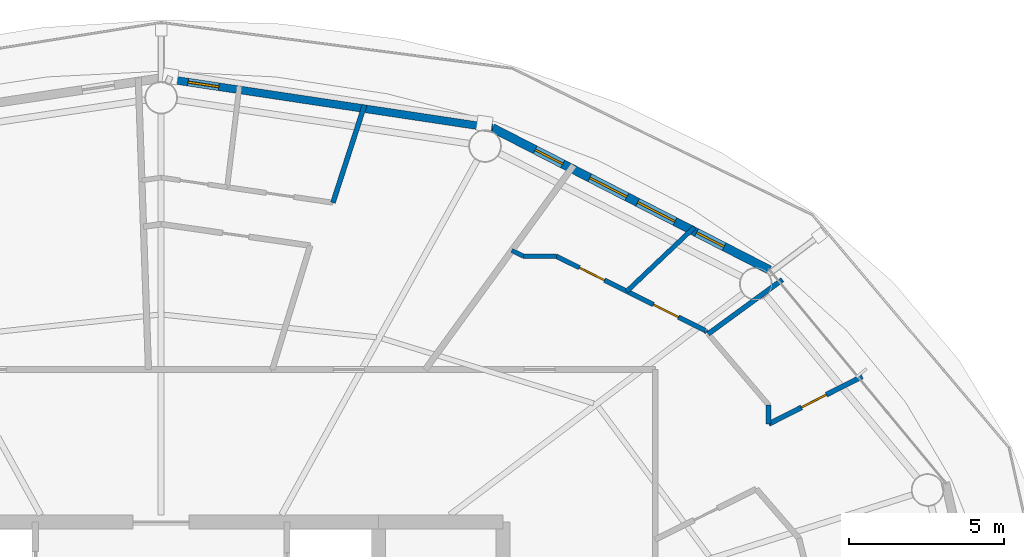
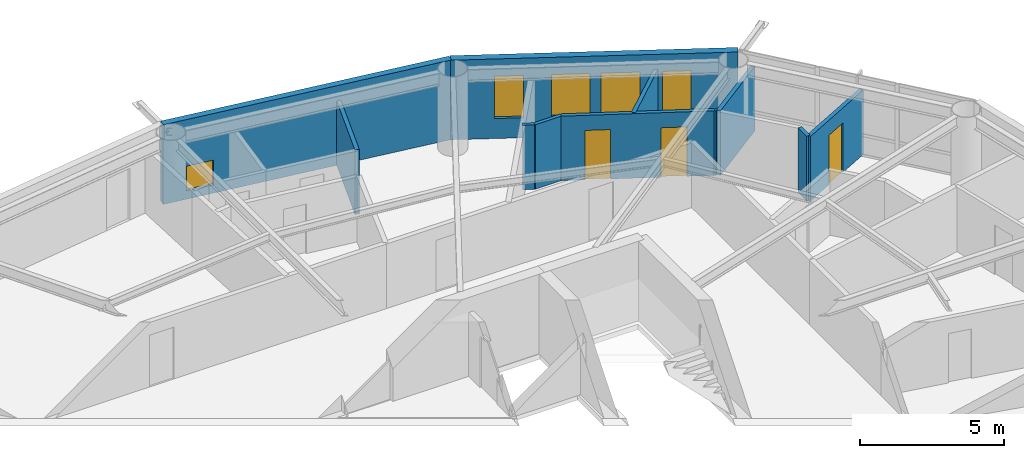
# One storey, part 26 of 30: 11 walls, 5 windows, 3 doors, 8 openings.
"""IFC4 building model written with IfcOpenShell, lengths in metres."""

from ifc_helpers import new_model, si_unit, direction, frame, frame_2d, origin, place, context, subcontext, project, spatial, rectangle, extrude, material, layer, layer_set, type_object, element, fill, save


model = new_model("IFC4")

# Units and contexts
model_context = context("Model", 3, precision=1e-05, world=origin(), true_north=direction((0.0, 1.0)))
body_context = subcontext(model_context, "Body", "Model", "MODEL_VIEW")
ifc_project = project(units=[si_unit("LENGTHUNIT", "METRE"), si_unit("AREAUNIT", "SQUARE_METRE"), si_unit("VOLUMEUNIT", "CUBIC_METRE"), si_unit("PLANEANGLEUNIT", "RADIAN"), si_unit("MASSUNIT", "GRAM", prefix="KILO")], contexts=[model_context])

# Site, building, storey
site_placement = place(None, origin())
site = spatial("IfcSite", under=ifc_project, at=site_placement, CompositionType="ELEMENT")
building_placement = place(site_placement, origin())
building = spatial("IfcBuilding", under=site, at=building_placement, Name="Sarneth Arch Tower", CompositionType="ELEMENT")
storey_placement = place(building_placement, frame((0.0, 0.0, 168.60009765625)))
storey = spatial("IfcBuildingStorey", under=building, at=storey_placement, Name="L42", CompositionType="ELEMENT", Elevation=168.60009765625)

# Wall, opening, window
ifc_material_1 = material(Name="Extruded terracotta rainscreen on Concrete C40/50 backing", Category="masonry")
ifc_layer_1 = layer(ifc_material_1, 0.25)
ifc_layer_set_1 = layer_set([ifc_layer_1], Name="Extruded terracotta rainscreen on Concrete C40/50 backing")
wall_type_1 = type_object("IfcWallType", Name="WALL-EXT-SPAND-250", PredefinedType="SOLIDWALL", material=ifc_layer_set_1)
wall_1_placement = place(storey_placement, frame((58.662841796875, 61.475341796875, 0.0), z_axis=(0.0, 0.0, 1.0), x_axis=(-0.988863993413, 0.148822049884, 0.0)))
wall_1 = element("IfcWall", 1, at=wall_1_placement, inside=storey, type_object=wall_type_1, Name="L42 Terracotta perimeter wall 04", PredefinedType="SOLIDWALL", context=body_context, shape_type="SweptSolid", body=[
    extrude(rectangle(XDim=10.782958984375, YDim=0.25, at=frame_2d((5.3916015625, 0.0))), origin(), (0.0, 0.0, 1.0), 3.3798828125),
])
opening_1_placement = place(wall_1_placement, frame((8.9091796875, 0.0, 0.35009765625)))
opening_1 = element("IfcOpeningElement", 2, at=opening_1_placement, cuts=wall_1, Name="Opening W-14", PredefinedType="OPENING", context=body_context, shape_type="SweptSolid", body=[
    extrude(rectangle(XDim=1.0, YDim=1.050048828125, at=frame_2d((0.5, 0.52490234375))), frame((0.0, 0.135009765625, 0.0), z_axis=(0.0, -1.0, 0.0), x_axis=(1.0, 0.0, 0.0)), (0.0, 0.0, 1.0), 0.27001953125),
])
ifc_material_2 = material(Name="Thermally broken Aluminium 6063-T6 and low-e laminated IGU", Category="aluminium")
window_type_1 = type_object("IfcWindowType", Name="WIN-TWR-1000x1050", PartitioningType="SINGLE_PANEL", PredefinedType="WINDOW", material=ifc_material_2)
window_1_placement = place(opening_1_placement, origin())
window_1 = element("IfcWindow", 3, at=window_1_placement, inside=storey, type_object=window_type_1, Name="L42 Dwelling bedroom window 02", OverallHeight=1.050048828125, OverallWidth=1.0, PartitioningType="SINGLE_PANEL", PredefinedType="WINDOW", context=body_context, shape_type="SweptSolid", body=[
    extrude(rectangle(XDim=1.0, YDim=1.050048828125, at=frame_2d((0.5, 0.52490234375))), frame((0.0, 0.030029296875, 0.0), z_axis=(0.0, -1.0, 0.0), x_axis=(1.0, 0.0, 0.0)), (0.0, 0.0, 1.0), 0.06005859375),
])
fill(opening_1, window_1)

# Wall, openings, windows
ifc_material_3 = material(Name="Extruded terracotta rainscreen on Concrete C40/50 backing", Category="masonry")
ifc_layer_2 = layer(ifc_material_3, 0.280029296875)
ifc_layer_set_2 = layer_set([ifc_layer_2], Name="Extruded terracotta rainscreen on Concrete C40/50 backing")
wall_type_2 = type_object("IfcWallType", Name="WALL-EXT-TERRA-280", PredefinedType="SOLIDWALL", material=ifc_layer_set_2)
wall_2_placement = place(storey_placement, frame((67.576171875, 56.90576171875, 0.0), z_axis=(0.0, 0.0, 1.0), x_axis=(-0.889872523182, 0.456209263919, 0.0)))
wall_2 = element("IfcWall", 4, at=wall_2_placement, inside=storey, type_object=wall_type_2, Name="L42 Terracotta perimeter wall 03", PredefinedType="SOLIDWALL", context=body_context, shape_type="SweptSolid", body=[
    extrude(rectangle(XDim=10.016357421875, YDim=0.280029296875, at=frame_2d((5.00830078125, 0.0))), origin(), (0.0, 0.0, 1.0), 3.3798828125),
])
opening_2_placement = place(wall_2_placement, frame((3.41943359375, 0.0, 0.85009765625)))
opening_2 = element("IfcOpeningElement", 5, at=opening_2_placement, cuts=wall_2, Name="Opening W-08", PredefinedType="OPENING", context=body_context, shape_type="SweptSolid", body=[
    extrude(rectangle(XDim=1.35009765625, YDim=1.800048828125, at=frame_2d((0.675048828125, 0.89990234375))), frame((0.0, 0.14990234375, 0.0), z_axis=(0.0, -1.0, 0.0), x_axis=(1.0, 0.0, 0.0)), (0.0, 0.0, 1.0), 0.300048828125),
])
opening_3_placement = place(wall_2_placement, frame((5.15625, 0.0, 0.85009765625)))
opening_3 = element("IfcOpeningElement", 6, at=opening_3_placement, cuts=wall_2, Name="Opening W-08", PredefinedType="OPENING", context=body_context, shape_type="SweptSolid", body=[
    extrude(rectangle(XDim=1.35009765625, YDim=1.800048828125, at=frame_2d((0.675048828125, 0.89990234375))), frame((0.0, 0.14990234375, 0.0), z_axis=(0.0, -1.0, 0.0), x_axis=(1.0, 0.0, 0.0)), (0.0, 0.0, 1.0), 0.300048828125),
])
opening_4_placement = place(wall_2_placement, frame((7.479248046875, 0.0, 0.85009765625)))
opening_4 = element("IfcOpeningElement", 7, at=opening_4_placement, cuts=wall_2, Name="Opening W-11", PredefinedType="OPENING", context=body_context, shape_type="SweptSolid", body=[
    extrude(rectangle(XDim=1.0, YDim=1.800048828125, at=frame_2d((0.5, 0.89990234375))), frame((0.0, 0.14990234375, 0.0), z_axis=(0.0, -1.0, 0.0), x_axis=(1.0, 0.0, 0.0)), (0.0, 0.0, 1.0), 0.300048828125),
])
opening_5_placement = place(wall_2_placement, frame((1.642822265625, 0.0, 0.85009765625)))
opening_5 = element("IfcOpeningElement", 8, at=opening_5_placement, cuts=wall_2, Name="Opening W-11", PredefinedType="OPENING", context=body_context, shape_type="SweptSolid", body=[
    extrude(rectangle(XDim=1.0, YDim=1.800048828125, at=frame_2d((0.5, 0.89990234375))), frame((0.0, 0.14990234375, 0.0), z_axis=(0.0, -1.0, 0.0), x_axis=(1.0, 0.0, 0.0)), (0.0, 0.0, 1.0), 0.300048828125),
])
ifc_material_4 = material(Name="Thermally broken Aluminium 6063-T6 and low-e laminated IGU", Category="aluminium")
window_type_2 = type_object("IfcWindowType", Name="WIN-TWR-1000x1800", PartitioningType="SINGLE_PANEL", PredefinedType="WINDOW", material=ifc_material_4)
window_2_placement = place(opening_4_placement, origin())
window_2 = element("IfcWindow", 9, at=window_2_placement, inside=storey, type_object=window_type_2, Name="L42 Exterior window 03C", OverallHeight=1.800048828125, OverallWidth=1.0, PartitioningType="SINGLE_PANEL", PredefinedType="WINDOW", context=body_context, shape_type="SweptSolid", body=[
    extrude(rectangle(XDim=1.0, YDim=1.800048828125, at=frame_2d((0.5, 0.89990234375))), frame((0.0, 0.030029296875, 0.0), z_axis=(0.0, -1.0, 0.0), x_axis=(1.0, 0.0, 0.0)), (0.0, 0.0, 1.0), 0.06005859375),
])
fill(opening_4, window_2)
window_3_placement = place(opening_5_placement, origin())
window_3 = element("IfcWindow", 10, at=window_3_placement, inside=storey, type_object=window_type_2, Name="L42 Dwelling bedroom window 01", OverallHeight=1.800048828125, OverallWidth=1.0, PartitioningType="SINGLE_PANEL", PredefinedType="WINDOW", context=body_context, shape_type="SweptSolid", body=[
    extrude(rectangle(XDim=1.0, YDim=1.800048828125, at=frame_2d((0.5, 0.89990234375))), frame((0.0, 0.030029296875, 0.0), z_axis=(0.0, -1.0, 0.0), x_axis=(1.0, 0.0, 0.0)), (0.0, 0.0, 1.0), 0.06005859375),
])
fill(opening_5, window_3)
ifc_material_5 = material(Name="Thermally broken Aluminium 6063-T6 and low-e laminated IGU", Category="aluminium")
window_type_3 = type_object("IfcWindowType", Name="WIN-TWR-1350x1800", PartitioningType="SINGLE_PANEL", PredefinedType="WINDOW", material=ifc_material_5)
window_4_placement = place(opening_2_placement, origin())
window_4 = element("IfcWindow", 11, at=window_4_placement, inside=storey, type_object=window_type_3, Name="L42 Exterior window 03A", OverallHeight=1.800048828125, OverallWidth=1.35009765625, PartitioningType="SINGLE_PANEL", PredefinedType="WINDOW", context=body_context, shape_type="SweptSolid", body=[
    extrude(rectangle(XDim=1.35009765625, YDim=1.800048828125, at=frame_2d((0.675048828125, 0.89990234375))), frame((0.0, 0.030029296875, 0.0), z_axis=(0.0, -1.0, 0.0), x_axis=(1.0, 0.0, 0.0)), (0.0, 0.0, 1.0), 0.06005859375),
])
fill(opening_2, window_4)
window_5_placement = place(opening_3_placement, origin())
window_5 = element("IfcWindow", 12, at=window_5_placement, inside=storey, type_object=window_type_3, Name="L42 Exterior window 03B", OverallHeight=1.800048828125, OverallWidth=1.35009765625, PartitioningType="SINGLE_PANEL", PredefinedType="WINDOW", context=body_context, shape_type="SweptSolid", body=[
    extrude(rectangle(XDim=1.35009765625, YDim=1.800048828125, at=frame_2d((0.675048828125, 0.89990234375))), frame((0.0, 0.030029296875, 0.0), z_axis=(0.0, -1.0, 0.0), x_axis=(1.0, 0.0, 0.0)), (0.0, 0.0, 1.0), 0.06005859375),
])
fill(opening_3, window_5)

# Walls
ifc_material_6 = material(Name="Apartment internal stud partition", Category="gypsum")
ifc_layer_3 = layer(ifc_material_6, 0.139892578125)
ifc_layer_set_3 = layer_set([ifc_layer_3], Name="Apartment internal stud partition")
wall_type_3 = type_object("IfcWallType", Name="WALL-PART-140", PredefinedType="PARTITIONING", material=ifc_layer_set_3)
wall_3_placement = place(storey_placement, frame((59.651123046875, 57.35009765625, 0.0), z_axis=(0.0, 0.0, 1.0), x_axis=(1.0, 0.0, 0.0)))
element("IfcWall", 13, at=wall_3_placement, inside=storey, type_object=wall_type_3, Name="L42 Interior partition W-L42-TP-032", PredefinedType="PARTITIONING", context=body_context, shape_type="SweptSolid", body=[
    extrude(rectangle(XDim=1.062255859375, YDim=0.139892578125, at=frame_2d((0.53125, 0.0))), origin(), (0.0, 0.0, 1.0), 2.739990234375),
])
wall_4_placement = place(storey_placement, frame((59.284912109375, 57.532470703125, 0.0), z_axis=(0.0, 0.0, 1.0), x_axis=(0.895142158028, -0.445780794698, 0.0)))
element("IfcWall", 14, at=wall_4_placement, inside=storey, type_object=wall_type_3, Name="L42 Interior partition W-L42-TP-031", PredefinedType="PARTITIONING", context=body_context, shape_type="SweptSolid", body=[
    extrude(rectangle(XDim=0.4091796875, YDim=0.139892578125, at=frame_2d((0.20458984375, 0.0))), origin(), (0.0, 0.0, 1.0), 2.739990234375),
])
ifc_material_7 = material(Name="Acoustic gypsum stud partition", Category="gypsum")
ifc_layer_4 = layer(ifc_material_7, 0.14990234375)
ifc_layer_set_4 = layer_set([ifc_layer_4], Name="Acoustic gypsum stud partition")
wall_type_4 = type_object("IfcWallType", Name="WALL-PART-150", PredefinedType="PARTITIONING", material=ifc_layer_set_4)
wall_5_placement = place(storey_placement, frame((62.983154296875, 56.218505859375, 0.0), z_axis=(0.0, 0.0, 1.0), x_axis=(0.725364351486, 0.688365133918, 0.0)))
element("IfcWall", 15, at=wall_5_placement, inside=storey, type_object=wall_type_4, Name="L42 Interior partition W-L42-TP-039", PredefinedType="PARTITIONING", context=body_context, shape_type="SweptSolid", body=[
    extrude(rectangle(XDim=2.9892578125, YDim=0.14990234375, at=frame_2d((1.49462890625, 0.0))), origin(), (0.0, 0.0, 1.0), 2.739990234375),
])

# Wall, openings, doors
wall_6_placement = place(storey_placement, frame((65.5048828125, 54.961181640625, 0.0), z_axis=(0.0, 0.0, 1.0), x_axis=(-0.894955531207, 0.446155350929, 0.0)))
wall_6 = element("IfcWall", 16, at=wall_6_placement, inside=storey, type_object=wall_type_4, Name="L42 Interior partition W-L42-TP-030", PredefinedType="PARTITIONING", context=body_context, shape_type="SweptSolid", body=[
    extrude(rectangle(XDim=5.35400390625, YDim=0.14990234375, at=frame_2d((2.677001953125, 0.0))), origin(), (0.0, 0.0, 1.0), 2.739990234375),
])
opening_6_placement = place(wall_6_placement, frame((0.958740234375, 0.0, 0.0)))
opening_6 = element("IfcOpeningElement", 17, at=opening_6_placement, cuts=wall_6, Name="Opening ID-01", PredefinedType="OPENING", context=body_context, shape_type="SweptSolid", body=[
    extrude(rectangle(XDim=0.89990234375, YDim=2.10009765625, at=frame_2d((0.449951171875, 1.050048828125))), frame((0.0, 0.0849609375, 0.0), z_axis=(0.0, -1.0, 0.0), x_axis=(1.0, 0.0, 0.0)), (0.0, 0.0, 1.0), 0.169921875),
])
opening_7_placement = place(wall_6_placement, frame((3.61865234375, 0.0, 0.0)))
opening_7 = element("IfcOpeningElement", 18, at=opening_7_placement, cuts=wall_6, Name="Opening ID-01", PredefinedType="OPENING", context=body_context, shape_type="SweptSolid", body=[
    extrude(rectangle(XDim=0.89990234375, YDim=2.10009765625, at=frame_2d((0.449951171875, 1.050048828125))), frame((0.0, 0.0849609375, 0.0), z_axis=(0.0, -1.0, 0.0), x_axis=(1.0, 0.0, 0.0)), (0.0, 0.0, 1.0), 0.169921875),
])
ifc_material_8 = material(Name="Engineered hardwood flush door", Category="wood")
door_type = type_object("IfcDoorType", Name="DR-INT-900", OperationType="SINGLE_SWING_LEFT", PredefinedType="DOOR", material=ifc_material_8)
door_1_placement = place(opening_6_placement, origin())
door_1 = element("IfcDoor", 19, at=door_1_placement, inside=storey, type_object=door_type, Name="L42 Interior door DR-L42-U1-BED1", OperationType="SINGLE_SWING_LEFT", OverallHeight=2.10009765625, OverallWidth=0.89990234375, PredefinedType="DOOR", context=body_context, shape_type="SweptSolid", body=[
    extrude(rectangle(XDim=0.89990234375, YDim=2.10009765625, at=frame_2d((0.449951171875, 1.050048828125))), frame((0.0, 0.02490234375, 0.0), z_axis=(0.0, -1.0, 0.0), x_axis=(1.0, 0.0, 0.0)), (0.0, 0.0, 1.0), 0.050048828125),
])
fill(opening_6, door_1)
door_2_placement = place(opening_7_placement, origin())
door_2 = element("IfcDoor", 20, at=door_2_placement, inside=storey, type_object=door_type, Name="L42 Interior door DR-L42-U1-BED2", OperationType="SINGLE_SWING_LEFT", OverallHeight=2.10009765625, OverallWidth=0.89990234375, PredefinedType="DOOR", context=body_context, shape_type="SweptSolid", body=[
    extrude(rectangle(XDim=0.89990234375, YDim=2.10009765625, at=frame_2d((0.449951171875, 1.050048828125))), frame((0.0, 0.02490234375, 0.0), z_axis=(0.0, -1.0, 0.0), x_axis=(1.0, 0.0, 0.0)), (0.0, 0.0, 1.0), 0.050048828125),
])
fill(opening_7, door_2)

# Wall
wall_7_placement = place(storey_placement, frame((65.559814453125, 54.896728515625, 0.0), z_axis=(0.0, 0.0, 1.0), x_axis=(-0.6481623323, 0.761502193685, 0.0)))
element("IfcWall", 21, at=wall_7_placement, inside=storey, type_object=wall_type_4, Name="L42 Interior partition W-L42-TP-029", PredefinedType="PARTITIONING", context=body_context, shape_type="SweptSolid", body=[
    extrude(rectangle(XDim=0.06884765625, YDim=0.14990234375, at=frame_2d((0.034423828125, 0.0))), origin(), (0.0, 0.0, 1.0), 2.739990234375),
])

# Wall, opening, door
ifc_material_9 = material(Name="Kitchen wet service chase wall", Category="gypsum")
ifc_layer_5 = layer(ifc_material_9, 0.159912109375)
ifc_layer_set_5 = layer_set([ifc_layer_5], Name="Kitchen wet service chase wall")
wall_type_5 = type_object("IfcWallType", Name="WALL-PLUMB-160", PredefinedType="PLUMBINGWALL", material=ifc_layer_set_5)
wall_8_placement = place(storey_placement, frame((70.5615234375, 53.479736328125, 0.0), z_axis=(0.0, 0.0, 1.0), x_axis=(-0.891269321093, -0.453474362317, 0.0)))
wall_8 = element("IfcWall", 22, at=wall_8_placement, inside=storey, type_object=wall_type_5, Name="L42 Interior partition W-L42-TP-023", PredefinedType="PLUMBINGWALL", context=body_context, shape_type="SweptSolid", body=[
    extrude(rectangle(XDim=3.37890625, YDim=0.159912109375, at=frame_2d((1.689453125, 0.0))), origin(), (0.0, 0.0, 1.0), 2.739990234375),
])
opening_8_placement = place(wall_8_placement, frame((1.299560546875, 0.0, 0.0)))
opening_8 = element("IfcOpeningElement", 23, at=opening_8_placement, cuts=wall_8, Name="Opening ID-01", PredefinedType="OPENING", context=body_context, shape_type="SweptSolid", body=[
    extrude(rectangle(XDim=0.89990234375, YDim=2.10009765625, at=frame_2d((0.449951171875, 1.050048828125))), frame((0.0, 0.08984375, 0.0), z_axis=(0.0, -1.0, 0.0), x_axis=(1.0, 0.0, 0.0)), (0.0, 0.0, 1.0), 0.179931640625),
])
door_3_placement = place(opening_8_placement, origin())
door_3 = element("IfcDoor", 24, at=door_3_placement, inside=storey, type_object=door_type, Name="L42 Interior door DR-L42-U1-KIT", OperationType="SINGLE_SWING_LEFT", OverallHeight=2.10009765625, OverallWidth=0.89990234375, PredefinedType="DOOR", context=body_context, shape_type="SweptSolid", body=[
    extrude(rectangle(XDim=0.89990234375, YDim=2.10009765625, at=frame_2d((0.449951171875, 1.050048828125))), frame((0.0, 0.02490234375, 0.0), z_axis=(0.0, -1.0, 0.0), x_axis=(1.0, 0.0, 0.0)), (0.0, 0.0, 1.0), 0.050048828125),
])
fill(opening_8, door_3)

# Walls
wall_9_placement = place(storey_placement, frame((54.5458984375, 62.214599609375, 0.0), z_axis=(0.0, 0.0, 1.0), x_axis=(-0.308058329214, -0.951367471486, 0.0)))
element("IfcWall", 25, at=wall_9_placement, inside=storey, type_object=wall_type_5, Name="L42 Interior partition W-L42-TP-041", PredefinedType="PLUMBINGWALL", context=body_context, shape_type="SweptSolid", body=[
    extrude(rectangle(XDim=3.303955078125, YDim=0.159912109375, at=frame_2d((1.65185546875, 0.0))), origin(), (0.0, 0.0, 1.0), 2.739990234375),
])
wall_10_placement = place(storey_placement, frame((65.60107421875, 54.847900390625, 0.0), z_axis=(0.0, 0.0, 1.0), x_axis=(0.807696422095, 0.589598583559, 0.0)))
element("IfcWall", 26, at=wall_10_placement, inside=storey, type_object=wall_type_5, Name="L42 Interior partition W-L42-TP-037", PredefinedType="PLUMBINGWALL", context=body_context, shape_type="SweptSolid", body=[
    extrude(rectangle(XDim=2.95849609375, YDim=0.159912109375, at=frame_2d((1.479248046875, 0.0))), origin(), (0.0, 0.0, 1.0), 2.739990234375),
])
wall_11_placement = place(storey_placement, frame((67.550048828125, 51.947509765625, 0.0), z_axis=(0.0, 0.0, 1.0), x_axis=(0.0, 1.0, 0.0)))
element("IfcWall", 27, at=wall_11_placement, inside=storey, type_object=wall_type_5, Name="L42 Interior partition W-L42-TP-024", PredefinedType="PLUMBINGWALL", context=body_context, shape_type="SweptSolid", body=[
    extrude(rectangle(XDim=0.609130859375, YDim=0.159912109375, at=frame_2d((0.3046875, 0.0))), origin(), (0.0, 0.0, 1.0), 2.739990234375),
])

save(model, "model.ifc")
